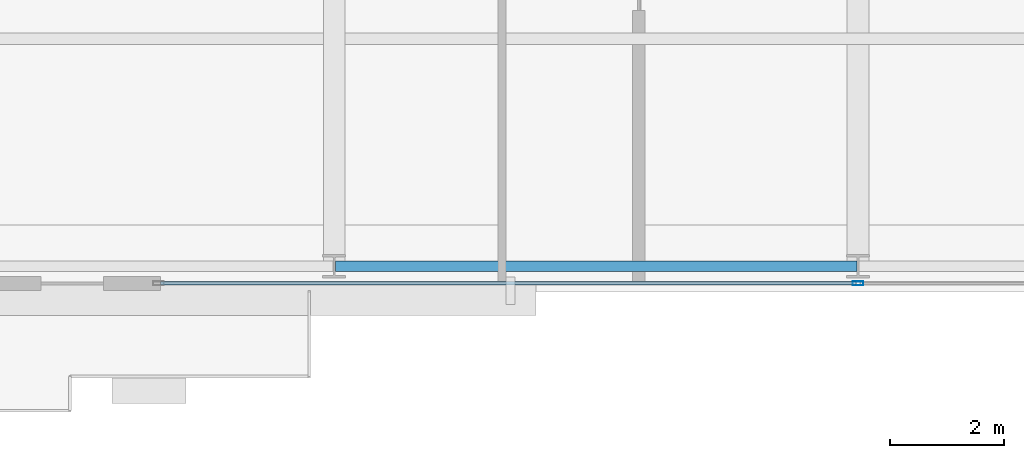
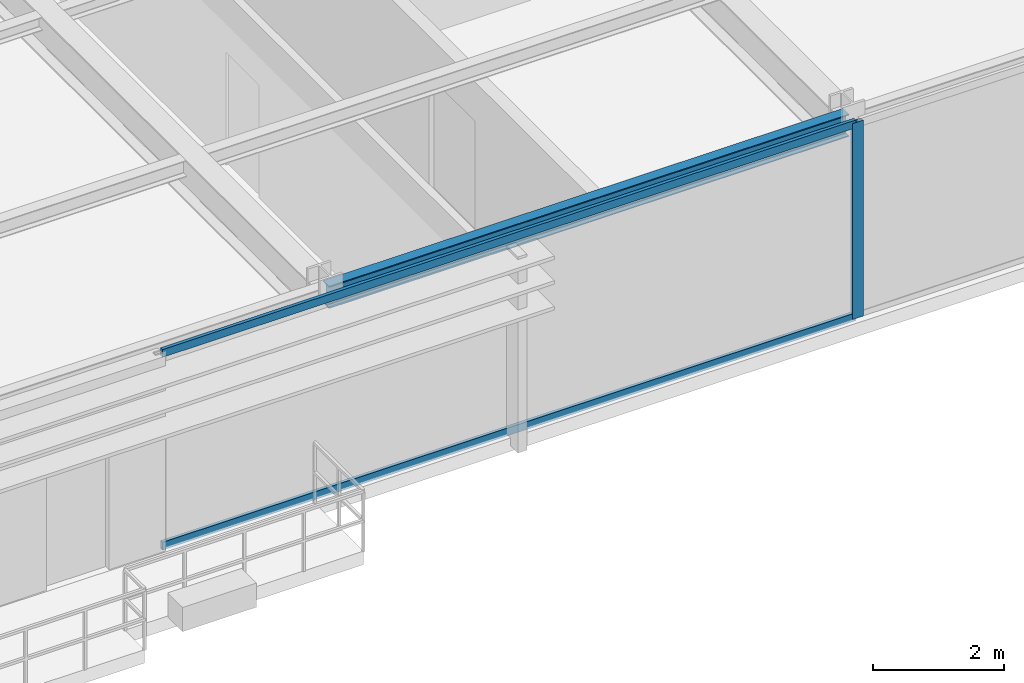
# One storey, part 6 of 29: 3 members, 1 beam, 1 element without a shape of its own.
"""IFC4 building model written with IfcOpenShell, lengths in metres."""

from ifc_helpers import new_model, si_unit, direction, frame, origin, origin_2d, place, context, subcontext, project, spatial, hollow_rectangle, i_section, extrude, source, transform, mapped, material, layer, layer_set, material_profile, profile_set, type_object, type_shapes, element, aggregate, save


model = new_model("IFC4")

# Units and contexts
model_context = context("Model", 3, precision=1e-05, world=origin(), true_north=direction((0.0, 1.0)))
body_context = subcontext(model_context, "Body", "Model", "MODEL_VIEW")
ifc_project = project(units=[si_unit("LENGTHUNIT", "METRE"), si_unit("AREAUNIT", "SQUARE_METRE"), si_unit("VOLUMEUNIT", "CUBIC_METRE"), si_unit("PLANEANGLEUNIT", "RADIAN"), si_unit("MASSUNIT", "GRAM", prefix="KILO")], contexts=[model_context])

# Site, building, storey
site_placement = place(None, origin())
site = spatial("IfcSite", under=ifc_project, at=site_placement, CompositionType="ELEMENT")
building_placement = place(site_placement, origin())
building = spatial("IfcBuilding", under=site, at=building_placement, Name="Varnel Quay Broadcast Tower", CompositionType="ELEMENT")
storey_placement = place(building_placement, frame((0.0, 0.0, 74.39990234375)))
storey = spatial("IfcBuildingStorey", under=building, at=storey_placement, Name="L17", CompositionType="ELEMENT", Elevation=74.39990234375)

# Beam
ifc_material_1 = material(Name="Structural Steel CSA G40.21 350W", Category="steel")
ifc_material_profile_1 = material_profile(ifc_material_1, i_section(OverallWidth=0.180908203125, OverallDepth=0.4169921875, WebThickness=0.010986328125, FlangeThickness=0.018310546875, FilletRadius=0.011962890625, at=origin_2d()), Name="W410X85")
ifc_profile_set_1 = profile_set([ifc_material_profile_1], Name="Structural Steel CSA G40.21 350W")
beam_type = type_object("IfcBeamType", Name="Beam_W410X85", PredefinedType="SPANDREL", material=ifc_profile_set_1)
shared_shape_1 = source(origin(), body_context, "Body", "SweptSolid", [
    extrude(i_section(OverallWidth=0.180908203125, OverallDepth=0.4169921875, WebThickness=0.010986328125, FlangeThickness=0.018310546875, FilletRadius=0.011962890625, at=origin_2d()), origin(), (0.0, 0.0, 1.0), 9.159912109375),
])
type_shapes(beam_type, [shared_shape_1])
beam_placement = place(storey_placement, frame((24.820068359375, 1.64990234375, 3.441650390625), z_axis=(1.0, 0.0, 0.0), x_axis=(0.0, 1.0, 0.0)))
element("IfcBeam", 1, at=beam_placement, inside=storey, type_object=beam_type, Name="L17 South Spandrel TC-S2-TC-S3", PredefinedType="SPANDREL", context=body_context, shape_type="MappedRepresentation", body=[
    mapped(shared_shape_1, transform((0.0, 0.0, 0.0), x_axis=(1.0, 0.0, 0.0), y_axis=(0.0, 1.0, 0.0), z_axis=(0.0, 0.0, 1.0), scale=1.0)),
])

# Curtain wall, members
ifc_material_2 = material(Name="Anodised Bronze Aluminium 6063-T6", Category="aluminium")
ifc_layer = layer(ifc_material_2, 0.18994140625, Name="Anodised Bronze Aluminium 6063-T6")
ifc_layer_set = layer_set([ifc_layer], Name="Anodised Bronze Aluminium 6063-T6")
curtain_wall_type = type_object("IfcCurtainWallType", Name="CW_LowerTower", PredefinedType="NOTDEFINED", material=ifc_layer_set)
curtain_wall_placement = place(storey_placement, origin())
curtain_wall = element("IfcCurtainWall", 2, at=curtain_wall_placement, inside=storey, type_object=curtain_wall_type, Name="L17 South Unitised Curtain Wall 2", PredefinedType="NOTDEFINED")
ifc_material_profile_2 = material_profile(ifc_material_2, hollow_rectangle(XDim=0.06005859375, YDim=0.14501953125, WallThickness=0.00341796875, at=origin_2d()), Name="ALU60X145X3.5")
ifc_profile_set_2 = profile_set([ifc_material_profile_2], Name="Anodised Bronze Aluminium 6063-T6")
member_type_1 = type_object("IfcMemberType", Name="Tran_CWS-02", PredefinedType="USERDEFINED", material=ifc_profile_set_2)
shared_shape_2 = source(origin(), body_context, "Body", "SweptSolid", [
    extrude(hollow_rectangle(XDim=0.06005859375, YDim=0.14501953125, WallThickness=0.00341796875, at=origin_2d()), origin(), (0.0, 0.0, 1.0), 12.215087890625),
])
type_shapes(member_type_1, [shared_shape_2])
member_1_placement = place(storey_placement, frame((21.75, 1.35009765625, 0.030029296875), z_axis=(1.0, 0.0, 0.0), x_axis=(0.0, 1.0, 0.0)))
member_1 = element("IfcMember", 3, at=member_1_placement, type_object=member_type_1, Name="CWS-02 transom 1.1", ObjectType="TRANSOM", PredefinedType="USERDEFINED", context=body_context, shape_type="MappedRepresentation", body=[
    mapped(shared_shape_2, transform((0.0, 0.0, 0.0), x_axis=(1.0, 0.0, 0.0), y_axis=(0.0, 1.0, 0.0), z_axis=(0.0, 0.0, 1.0), scale=1.0)),
])
member_2_placement = place(storey_placement, frame((21.75, 1.35009765625, 3.6201171875), z_axis=(1.0, 0.0, 0.0), x_axis=(0.0, 1.0, 0.0)))
member_2 = element("IfcMember", 4, at=member_2_placement, type_object=member_type_1, Name="CWS-02 transom 1.2", ObjectType="TRANSOM", PredefinedType="USERDEFINED", context=body_context, shape_type="MappedRepresentation", body=[
    mapped(shared_shape_2, transform((0.0, 0.0, 0.0), x_axis=(1.0, 0.0, 0.0), y_axis=(0.0, 1.0, 0.0), z_axis=(0.0, 0.0, 1.0), scale=1.0)),
])
ifc_material_profile_3 = material_profile(ifc_material_2, hollow_rectangle(XDim=0.070068359375, YDim=0.18994140625, WallThickness=0.00390625, at=origin_2d()), Name="ALU70X190X4")
ifc_profile_set_3 = profile_set([ifc_material_profile_3], Name="Anodised Bronze Aluminium 6063-T6")
member_type_2 = type_object("IfcMemberType", Name="Mull_CWS-02", PredefinedType="MULLION", material=ifc_profile_set_3)
shared_shape_3 = source(origin(), body_context, "Body", "SweptSolid", [
    extrude(hollow_rectangle(XDim=0.070068359375, YDim=0.18994140625, WallThickness=0.00390625, at=origin_2d()), origin(), (0.0, 0.0, 1.0), 3.650146484375),
])
type_shapes(member_type_2, [shared_shape_3])
member_3_placement = place(storey_placement, frame((34.0, 1.35009765625, 0.0), z_axis=(0.0, 0.0, 1.0), x_axis=(0.0, 1.0, 0.0)))
member_3 = element("IfcMember", 5, at=member_3_placement, type_object=member_type_2, Name="CWS-02 mullion 2", PredefinedType="MULLION", context=body_context, shape_type="MappedRepresentation", body=[
    mapped(shared_shape_3, transform((0.0, 0.0, 0.0), x_axis=(1.0, 0.0, 0.0), y_axis=(0.0, 1.0, 0.0), z_axis=(0.0, 0.0, 1.0), scale=1.0)),
])
aggregate(curtain_wall, [member_3, member_1, member_2])

save(model, "model.ifc")
